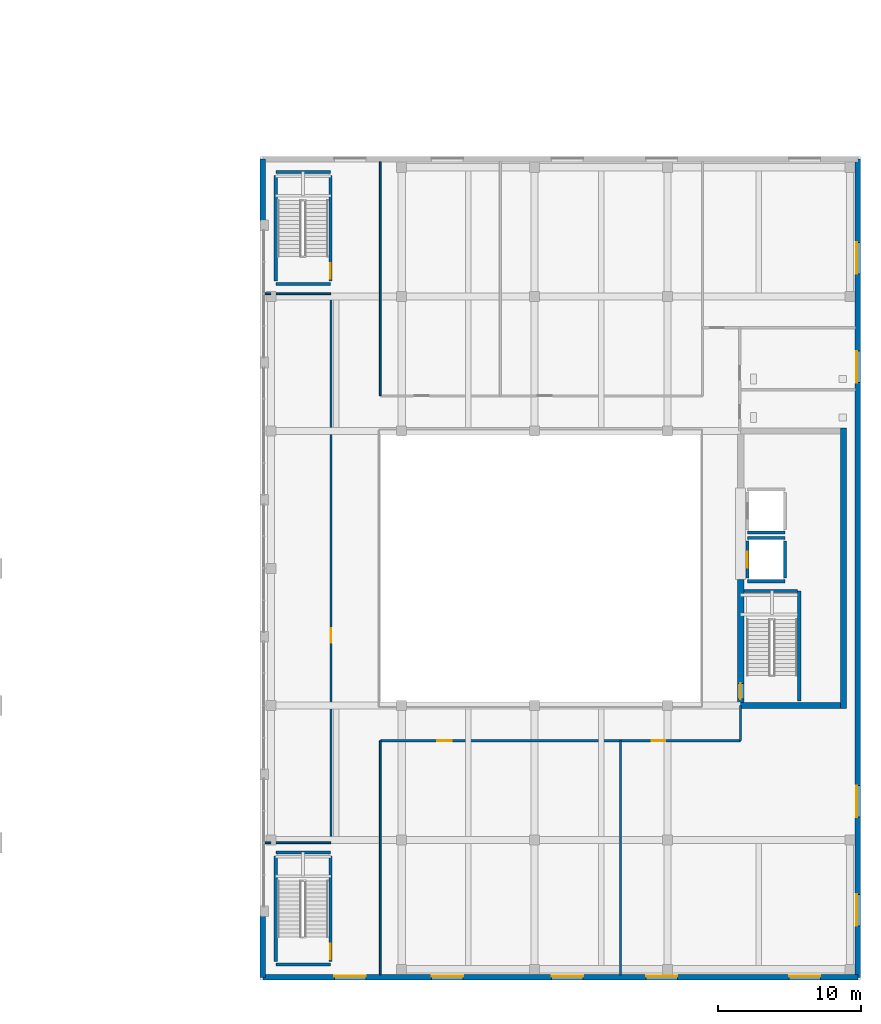
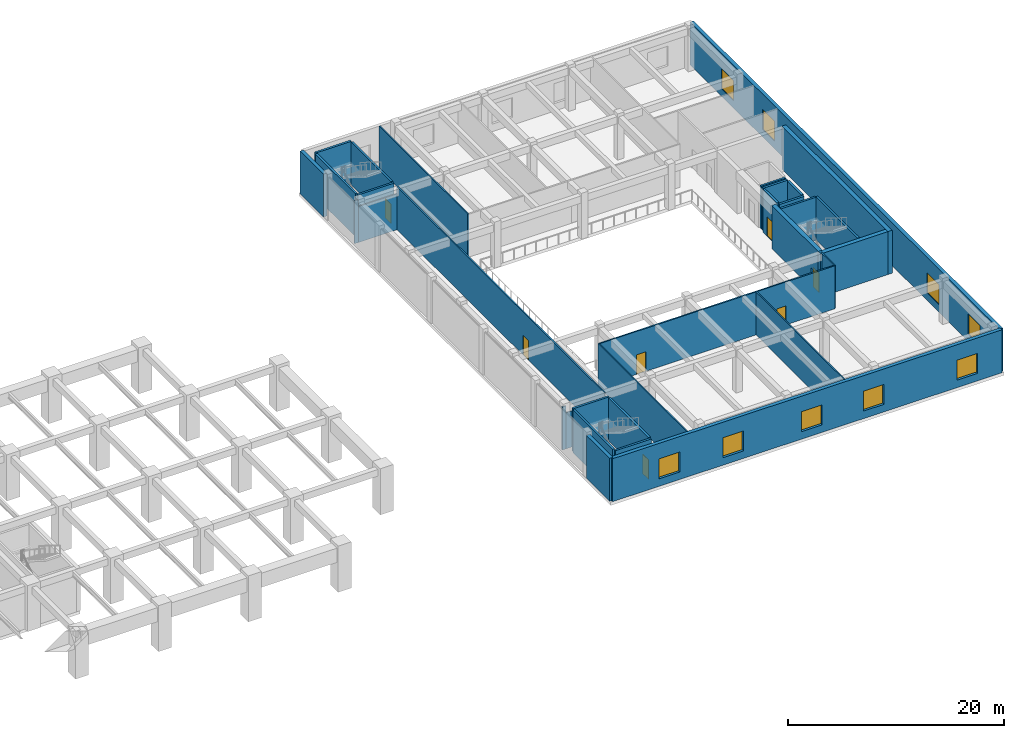
# One storey, part 7 of 22: 32 walls, 9 windows, 7 doors, 16 openings.
"""IFC4 building model written with IfcOpenShell, lengths in metres."""

from ifc_helpers import new_model, si_unit, direction, frame, frame_2d, origin, place, context, subcontext, project, spatial, rectangle, extrude, material, layer, layer_set, type_object, element, fill, save


model = new_model("IFC4")

# Units and contexts
model_context = context("Model", 3, precision=1e-05, world=origin(), true_north=direction((0.0, 1.0)))
body_context = subcontext(model_context, "Body", "Model", "MODEL_VIEW")
ifc_project = project(units=[si_unit("LENGTHUNIT", "METRE"), si_unit("AREAUNIT", "SQUARE_METRE"), si_unit("VOLUMEUNIT", "CUBIC_METRE"), si_unit("PLANEANGLEUNIT", "RADIAN"), si_unit("MASSUNIT", "GRAM", prefix="KILO")], contexts=[model_context])

# Site, building, storey
site_placement = place(None, origin())
site = spatial("IfcSite", under=ifc_project, at=site_placement, CompositionType="ELEMENT")
building_placement = place(site_placement, origin())
building = spatial("IfcBuilding", under=site, at=building_placement, Name="Norrvale University Quadrangle", CompositionType="ELEMENT")
storey_placement = place(building_placement, frame((0.0, 0.0, 5.199951171875)))
storey = spatial("IfcBuildingStorey", under=building, at=storey_placement, Name="L01", CompositionType="ELEMENT", Elevation=5.199951171875)

# Walls
ifc_material_1 = material(Name="Standard Academic Gypsum Partition")
ifc_layer_1 = layer(ifc_material_1, 0.125, Name="Standard Academic Gypsum Partition")
ifc_layer_set_1 = layer_set([ifc_layer_1], Name="Standard Academic Gypsum Partition")
wall_type_1 = type_object("IfcWallType", Name="Wall Gypsum Academic 125", PredefinedType="PARTITIONING", material=ifc_layer_set_1)
wall_1_placement = place(storey_placement, frame((85.550048828125, 9.60009765625, 0.0), z_axis=(0.0, 0.0, 1.0), x_axis=(1.0, 0.0, 0.0)))
element("IfcWall", 1, at=wall_1_placement, inside=storey, type_object=wall_type_1, Name="Interior Partition WL-L01-LWS", PredefinedType="PARTITIONING", context=body_context, shape_type="SweptSolid", body=[
    extrude(rectangle(XDim=0.39990234375, YDim=0.125, at=frame_2d((0.199951171875, 0.0))), origin(), (0.0, 0.0, 1.0), 4.85009765625),
])
wall_2_placement = place(storey_placement, frame((85.949951171875, 9.60009765625, 0.0), z_axis=(0.0, 0.0, 1.0), x_axis=(1.0, 0.0, 0.0)))
element("IfcWall", 2, at=wall_2_placement, inside=storey, type_object=wall_type_1, Name="Interior Partition WL-L01-LWS-B2", PredefinedType="PARTITIONING", context=body_context, shape_type="SweptSolid", body=[
    extrude(rectangle(XDim=4.199951171875, YDim=0.125, at=frame_2d((2.10009765625, 0.0))), origin(), (0.0, 0.0, 1.0), 4.050048828125),
])
wall_3_placement = place(storey_placement, frame((85.550048828125, 48.0, 0.0), z_axis=(0.0, 0.0, 1.0), x_axis=(1.0, 0.0, 0.0)))
element("IfcWall", 3, at=wall_3_placement, inside=storey, type_object=wall_type_1, Name="Interior Partition WL-L01-LWN", PredefinedType="PARTITIONING", context=body_context, shape_type="SweptSolid", body=[
    extrude(rectangle(XDim=0.39990234375, YDim=0.125, at=frame_2d((0.199951171875, 0.0))), origin(), (0.0, 0.0, 1.0), 4.85009765625),
])
wall_4_placement = place(storey_placement, frame((85.949951171875, 48.0, 0.0), z_axis=(0.0, 0.0, 1.0), x_axis=(1.0, 0.0, 0.0)))
element("IfcWall", 4, at=wall_4_placement, inside=storey, type_object=wall_type_1, Name="Interior Partition WL-L01-LWN-B2", PredefinedType="PARTITIONING", context=body_context, shape_type="SweptSolid", body=[
    extrude(rectangle(XDim=4.199951171875, YDim=0.125, at=frame_2d((2.10009765625, 0.0))), origin(), (0.0, 0.0, 1.0), 4.050048828125),
])
for number, where, z_axis, x_axis, name in (
    (5, (93.60009765625, 0.35009765625, 0.0), (0.0, 0.0, 1.0), (0.0, 1.0, 0.0), "Interior Partition WL-L01-LSS-W"),
    (6, (110.39990234375, 0.35009765625, 0.0), (0.0, 0.0, 1.0), (0.0, 1.0, 0.0), "Interior Partition WL-L01-LSS-M"),
    (7, (93.60009765625, 40.860107421875, 0.0), (0.0, 0.0, 1.0), (0.0, 1.0, 0.0), "Interior Partition WL-L01-LSN-W"),
):
    element("IfcWall", number, at=place(storey_placement, frame(where, z_axis=z_axis, x_axis=x_axis)), inside=storey, type_object=wall_type_1, Name=name, PredefinedType="PARTITIONING", context=body_context, shape_type="SweptSolid", body=[
        extrude(rectangle(XDim=16.389892578125, YDim=0.125, at=frame_2d((8.19482421875, 0.0))), origin(), (0.0, 0.0, 1.0), 4.85009765625),
    ])

# Wall, opening, door
ifc_material_2 = material(Name="Fire-Rated Gypsum Stud Partition")
ifc_layer_2 = layer(ifc_material_2, 0.14990234375, Name="Fire-Rated Gypsum Stud Partition")
ifc_layer_set_2 = layer_set([ifc_layer_2], Name="Fire-Rated Gypsum Stud Partition")
wall_type_2 = type_object("IfcWallType", Name="Wall Gypsum Corridor 150", PredefinedType="PARTITIONING", material=ifc_layer_set_2)
wall_5_placement = place(storey_placement, frame((90.14990234375, 9.60009765625, 0.0), z_axis=(0.0, 0.0, 1.0), x_axis=(0.0, 1.0, 0.0)))
wall_5 = element("IfcWall", 8, at=wall_5_placement, inside=storey, type_object=wall_type_2, Name="Interior Partition WL-L01-LWE", PredefinedType="PARTITIONING", context=body_context, shape_type="SweptSolid", body=[
    extrude(rectangle(XDim=38.39990234375, YDim=0.14990234375, at=frame_2d((19.199951171875, 0.0))), origin(), (0.0, 0.0, 1.0), 4.85009765625),
])
opening_1_placement = place(wall_5_placement, frame((14.0, 0.0, 0.0)))
opening_1 = element("IfcOpeningElement", 9, at=opening_1_placement, cuts=wall_5, Name="Opening D04", PredefinedType="OPENING", context=body_context, shape_type="SweptSolid", body=[
    extrude(rectangle(XDim=1.0, YDim=2.199951171875, at=frame_2d((0.5, 1.10009765625))), frame((0.0, 0.0869140625, 0.0), z_axis=(0.0, -1.0, 0.0), x_axis=(1.0, 0.0, 0.0)), (0.0, 0.0, 1.0), 0.173828125),
])
ifc_material_3 = material(Name="Solid-Core Oak Fire Door", Category="wood")
door_type_1 = type_object("IfcDoorType", Name="Door Corridor 1000x2200", OperationType="NOTDEFINED", PredefinedType="DOOR", material=ifc_material_3)
door_1_placement = place(opening_1_placement, origin())
door_1 = element("IfcDoor", 10, at=door_1_placement, inside=storey, type_object=door_type_1, Name="Door Corridor 1000x2200 DR-L01-LWCAR", OperationType="SINGLE_SWING_LEFT", OverallHeight=2.199951171875, OverallWidth=1.0, PredefinedType="DOOR", context=body_context, shape_type="SweptSolid", body=[
    extrude(rectangle(XDim=1.0, YDim=2.199951171875, at=frame_2d((0.5, 1.10009765625))), frame((0.0, 0.02490234375, 0.0), z_axis=(0.0, -1.0, 0.0), x_axis=(1.0, 0.0, 0.0)), (0.0, 0.0, 1.0), 0.050048828125),
])
fill(opening_1, door_1)

# Wall
wall_6_placement = place(storey_placement, frame((118.800048828125, 16.739990234375, 0.0), z_axis=(0.0, 0.0, 1.0), x_axis=(0.0, 1.0, 0.0)))
element("IfcWall", 11, at=wall_6_placement, inside=storey, type_object=wall_type_2, Name="Interior Partition WL-L01-LSS-E", PredefinedType="PARTITIONING", context=body_context, shape_type="SweptSolid", body=[
    extrude(rectangle(XDim=2.4599609375, YDim=0.14990234375, at=frame_2d((1.22998046875, 0.0))), origin(), (0.0, 0.0, 1.0), 4.85009765625),
])

# Wall, openings, doors
wall_7_placement = place(storey_placement, frame((93.60009765625, 16.739990234375, 0.0), z_axis=(0.0, 0.0, 1.0), x_axis=(1.0, 0.0, 0.0)))
wall_7 = element("IfcWall", 12, at=wall_7_placement, inside=storey, type_object=wall_type_2, Name="Interior Partition WL-L01-LSS-N", PredefinedType="PARTITIONING", context=body_context, shape_type="SweptSolid", body=[
    extrude(rectangle(XDim=25.199951171875, YDim=0.14990234375, at=frame_2d((12.60009765625, 0.0))), origin(), (0.0, 0.0, 1.0), 4.85009765625),
])
opening_2_placement = place(wall_7_placement, frame((4.0, 0.0, 0.0)))
opening_2 = element("IfcOpeningElement", 13, at=opening_2_placement, cuts=wall_7, Name="Opening D04", PredefinedType="OPENING", context=body_context, shape_type="SweptSolid", body=[
    extrude(rectangle(XDim=1.0, YDim=2.199951171875, at=frame_2d((0.5, 1.10009765625))), frame((0.0, 0.0869140625, 0.0), z_axis=(0.0, -1.0, 0.0), x_axis=(1.0, 0.0, 0.0)), (0.0, 0.0, 1.0), 0.173828125),
])
opening_3_placement = place(wall_7_placement, frame((19.0, 0.0, 0.0)))
opening_3 = element("IfcOpeningElement", 14, at=opening_3_placement, cuts=wall_7, Name="Opening D07", PredefinedType="OPENING", context=body_context, shape_type="SweptSolid", body=[
    extrude(rectangle(XDim=0.949951171875, YDim=2.14990234375, at=frame_2d((0.47509765625, 1.074951171875))), frame((0.0, 0.0869140625, 0.0), z_axis=(0.0, -1.0, 0.0), x_axis=(1.0, 0.0, 0.0)), (0.0, 0.0, 1.0), 0.173828125),
])
door_2_placement = place(opening_2_placement, origin())
door_2 = element("IfcDoor", 15, at=door_2_placement, inside=storey, type_object=door_type_1, Name="Door Corridor 1000x2200 DR-L01-LS1", OperationType="SINGLE_SWING_LEFT", OverallHeight=2.199951171875, OverallWidth=1.0, PredefinedType="DOOR", context=body_context, shape_type="SweptSolid", body=[
    extrude(rectangle(XDim=1.0, YDim=2.199951171875, at=frame_2d((0.5, 1.10009765625))), frame((0.0, 0.02490234375, 0.0), z_axis=(0.0, -1.0, 0.0), x_axis=(1.0, 0.0, 0.0)), (0.0, 0.0, 1.0), 0.050048828125),
])
fill(opening_2, door_2)
ifc_material_4 = material(Name="Solid-Core Maple Door", Category="wood")
door_type_2 = type_object("IfcDoorType", Name="Door Office 950x2150", OperationType="NOTDEFINED", PredefinedType="DOOR", material=ifc_material_4)
door_3_placement = place(opening_3_placement, origin())
door_3 = element("IfcDoor", 16, at=door_3_placement, inside=storey, type_object=door_type_2, Name="Door Office 950x2150 DR-L01-LS2", OperationType="SINGLE_SWING_RIGHT", OverallHeight=2.14990234375, OverallWidth=0.949951171875, PredefinedType="DOOR", context=body_context, shape_type="SweptSolid", body=[
    extrude(rectangle(XDim=0.949951171875, YDim=2.14990234375, at=frame_2d((0.47509765625, 1.074951171875))), frame((0.0, 0.02490234375, 0.0), z_axis=(0.0, -1.0, 0.0), x_axis=(1.0, 0.0, 0.0)), (0.0, 0.0, 1.0), 0.050048828125),
])
fill(opening_3, door_3)

# Wall, openings, windows
ifc_material_5 = material(Name="Buff Norman Clay Brick Masonry", Category="masonry")
ifc_layer_3 = layer(ifc_material_5, 0.3798828125, Name="Buff Norman Clay Brick Masonry")
ifc_layer_set_3 = layer_set([ifc_layer_3], Name="Buff Norman Clay Brick Masonry")
wall_type_3 = type_object("IfcWallType", Name="Wall Lib Brick 380", PredefinedType="SOLIDWALL", material=ifc_layer_set_3)
wall_8_placement = place(storey_placement, frame((85.389892578125, 0.18994140625, 0.0), z_axis=(0.0, 0.0, 1.0), x_axis=(1.0, 0.0, 0.0)))
wall_8 = element("IfcWall", 17, at=wall_8_placement, inside=storey, type_object=wall_type_3, Name="Central Library South Brick Facade L01", PredefinedType="SOLIDWALL", context=body_context, shape_type="SweptSolid", body=[
    extrude(rectangle(XDim=41.6201171875, YDim=0.3798828125, at=frame_2d((20.81005859375, 0.0))), origin(), (0.0, 0.0, 1.0), 4.85009765625),
])
opening_4_placement = place(wall_8_placement, frame((5.0, 0.0, 0.85009765625)))
opening_4 = element("IfcOpeningElement", 18, at=opening_4_placement, cuts=wall_8, Name="Opening W06", PredefinedType="OPENING", context=body_context, shape_type="SweptSolid", body=[
    extrude(rectangle(XDim=2.199951171875, YDim=2.25, at=frame_2d((1.10009765625, 1.125))), frame((0.0, 0.201904296875, 0.0), z_axis=(0.0, -1.0, 0.0), x_axis=(1.0, 0.0, 0.0)), (0.0, 0.0, 1.0), 0.40380859375),
])
opening_5_placement = place(wall_8_placement, frame((11.800048828125, 0.0, 0.85009765625)))
opening_5 = element("IfcOpeningElement", 19, at=opening_5_placement, cuts=wall_8, Name="Opening W06", PredefinedType="OPENING", context=body_context, shape_type="SweptSolid", body=[
    extrude(rectangle(XDim=2.199951171875, YDim=2.25, at=frame_2d((1.10009765625, 1.125))), frame((0.0, 0.201904296875, 0.0), z_axis=(0.0, -1.0, 0.0), x_axis=(1.0, 0.0, 0.0)), (0.0, 0.0, 1.0), 0.40380859375),
])
opening_6_placement = place(wall_8_placement, frame((20.199951171875, 0.0, 0.85009765625)))
opening_6 = element("IfcOpeningElement", 20, at=opening_6_placement, cuts=wall_8, Name="Opening W06", PredefinedType="OPENING", context=body_context, shape_type="SweptSolid", body=[
    extrude(rectangle(XDim=2.199951171875, YDim=2.25, at=frame_2d((1.10009765625, 1.125))), frame((0.0, 0.201904296875, 0.0), z_axis=(0.0, -1.0, 0.0), x_axis=(1.0, 0.0, 0.0)), (0.0, 0.0, 1.0), 0.40380859375),
])
opening_7_placement = place(wall_8_placement, frame((26.800048828125, 0.0, 0.85009765625)))
opening_7 = element("IfcOpeningElement", 21, at=opening_7_placement, cuts=wall_8, Name="Opening W06", PredefinedType="OPENING", context=body_context, shape_type="SweptSolid", body=[
    extrude(rectangle(XDim=2.199951171875, YDim=2.25, at=frame_2d((1.10009765625, 1.125))), frame((0.0, 0.201904296875, 0.0), z_axis=(0.0, -1.0, 0.0), x_axis=(1.0, 0.0, 0.0)), (0.0, 0.0, 1.0), 0.40380859375),
])
opening_8_placement = place(wall_8_placement, frame((36.800048828125, 0.0, 0.85009765625)))
opening_8 = element("IfcOpeningElement", 22, at=opening_8_placement, cuts=wall_8, Name="Opening W06", PredefinedType="OPENING", context=body_context, shape_type="SweptSolid", body=[
    extrude(rectangle(XDim=2.199951171875, YDim=2.25, at=frame_2d((1.10009765625, 1.125))), frame((0.0, 0.201904296875, 0.0), z_axis=(0.0, -1.0, 0.0), x_axis=(1.0, 0.0, 0.0)), (0.0, 0.0, 1.0), 0.40380859375),
])
ifc_material_6 = material(Name="Bird-Friendly Fritted Triple Glazing", Category="glass")
window_type = type_object("IfcWindowType", Name="Window Library 2200x2600", PartitioningType="DOUBLE_PANEL_VERTICAL", PredefinedType="WINDOW", material=ifc_material_6)
window_1_placement = place(opening_4_placement, origin())
window_1 = element("IfcWindow", 23, at=window_1_placement, inside=storey, type_object=window_type, Name="Window Library 2200x2600 WIN-L01-LS-01", OverallHeight=2.25, OverallWidth=2.199951171875, PartitioningType="DOUBLE_PANEL_VERTICAL", PredefinedType="WINDOW", context=body_context, shape_type="SweptSolid", body=[
    extrude(rectangle(XDim=2.199951171875, YDim=2.25, at=frame_2d((1.10009765625, 1.125))), frame((0.0, 0.110107421875, 0.0), z_axis=(0.0, -1.0, 0.0), x_axis=(1.0, 0.0, 0.0)), (0.0, 0.0, 1.0), 0.06005859375),
])
fill(opening_4, window_1)
window_2_placement = place(opening_5_placement, origin())
window_2 = element("IfcWindow", 24, at=window_2_placement, inside=storey, type_object=window_type, Name="Window Library 2200x2600 WIN-L01-LS-02", OverallHeight=2.25, OverallWidth=2.199951171875, PartitioningType="DOUBLE_PANEL_VERTICAL", PredefinedType="WINDOW", context=body_context, shape_type="SweptSolid", body=[
    extrude(rectangle(XDim=2.199951171875, YDim=2.25, at=frame_2d((1.10009765625, 1.125))), frame((0.0, 0.110107421875, 0.0), z_axis=(0.0, -1.0, 0.0), x_axis=(1.0, 0.0, 0.0)), (0.0, 0.0, 1.0), 0.06005859375),
])
fill(opening_5, window_2)
window_3_placement = place(opening_6_placement, origin())
window_3 = element("IfcWindow", 25, at=window_3_placement, inside=storey, type_object=window_type, Name="Window Library 2200x2600 WIN-L01-LS-03", OverallHeight=2.25, OverallWidth=2.199951171875, PartitioningType="DOUBLE_PANEL_VERTICAL", PredefinedType="WINDOW", context=body_context, shape_type="SweptSolid", body=[
    extrude(rectangle(XDim=2.199951171875, YDim=2.25, at=frame_2d((1.10009765625, 1.125))), frame((0.0, 0.110107421875, 0.0), z_axis=(0.0, -1.0, 0.0), x_axis=(1.0, 0.0, 0.0)), (0.0, 0.0, 1.0), 0.06005859375),
])
fill(opening_6, window_3)
window_4_placement = place(opening_7_placement, origin())
window_4 = element("IfcWindow", 26, at=window_4_placement, inside=storey, type_object=window_type, Name="Window Library 2200x2600 WIN-L01-LS-04", OverallHeight=2.25, OverallWidth=2.199951171875, PartitioningType="DOUBLE_PANEL_VERTICAL", PredefinedType="WINDOW", context=body_context, shape_type="SweptSolid", body=[
    extrude(rectangle(XDim=2.199951171875, YDim=2.25, at=frame_2d((1.10009765625, 1.125))), frame((0.0, 0.110107421875, 0.0), z_axis=(0.0, -1.0, 0.0), x_axis=(1.0, 0.0, 0.0)), (0.0, 0.0, 1.0), 0.06005859375),
])
fill(opening_7, window_4)
window_5_placement = place(opening_8_placement, origin())
window_5 = element("IfcWindow", 27, at=window_5_placement, inside=storey, type_object=window_type, Name="Window Library 2200x2600 WIN-L01-LS-05", OverallHeight=2.25, OverallWidth=2.199951171875, PartitioningType="DOUBLE_PANEL_VERTICAL", PredefinedType="WINDOW", context=body_context, shape_type="SweptSolid", body=[
    extrude(rectangle(XDim=2.199951171875, YDim=2.25, at=frame_2d((1.10009765625, 1.125))), frame((0.0, 0.110107421875, 0.0), z_axis=(0.0, -1.0, 0.0), x_axis=(1.0, 0.0, 0.0)), (0.0, 0.0, 1.0), 0.06005859375),
])
fill(opening_8, window_5)

wall_9_placement = place(storey_placement, frame((127.010009765625, 0.18994140625, 0.0), z_axis=(0.0, 0.0, 1.0), x_axis=(0.0, 1.0, 0.0)))
wall_9 = element("IfcWall", 28, at=wall_9_placement, inside=storey, type_object=wall_type_3, Name="Central Library East Brick Facade L01", PredefinedType="SOLIDWALL", context=body_context, shape_type="SweptSolid", body=[
    extrude(rectangle(XDim=57.219970703125, YDim=0.3798828125, at=frame_2d((28.60986328125, 0.0))), origin(), (0.0, 0.0, 1.0), 4.85009765625),
])
opening_9_placement = place(wall_9_placement, frame((3.60009765625, 0.0, 0.85009765625)))
opening_9 = element("IfcOpeningElement", 29, at=opening_9_placement, cuts=wall_9, Name="Opening W06", PredefinedType="OPENING", context=body_context, shape_type="SweptSolid", body=[
    extrude(rectangle(XDim=2.199951171875, YDim=2.25, at=frame_2d((1.10009765625, 1.125))), frame((0.0, 0.201904296875, 0.0), z_axis=(0.0, -1.0, 0.0), x_axis=(1.0, 0.0, 0.0)), (0.0, 0.0, 1.0), 0.40380859375),
])
opening_10_placement = place(wall_9_placement, frame((11.199951171875, 0.0, 0.85009765625)))
opening_10 = element("IfcOpeningElement", 30, at=opening_10_placement, cuts=wall_9, Name="Opening W06", PredefinedType="OPENING", context=body_context, shape_type="SweptSolid", body=[
    extrude(rectangle(XDim=2.199951171875, YDim=2.25, at=frame_2d((1.10009765625, 1.125))), frame((0.0, 0.201904296875, 0.0), z_axis=(0.0, -1.0, 0.0), x_axis=(1.0, 0.0, 0.0)), (0.0, 0.0, 1.0), 0.40380859375),
])
opening_11_placement = place(wall_9_placement, frame((41.60009765625, 0.0, 0.85009765625)))
opening_11 = element("IfcOpeningElement", 31, at=opening_11_placement, cuts=wall_9, Name="Opening W06", PredefinedType="OPENING", context=body_context, shape_type="SweptSolid", body=[
    extrude(rectangle(XDim=2.199951171875, YDim=2.25, at=frame_2d((1.10009765625, 1.125))), frame((0.0, 0.201904296875, 0.0), z_axis=(0.0, -1.0, 0.0), x_axis=(1.0, 0.0, 0.0)), (0.0, 0.0, 1.0), 0.40380859375),
])
opening_12_placement = place(wall_9_placement, frame((49.199951171875, 0.0, 0.85009765625)))
opening_12 = element("IfcOpeningElement", 32, at=opening_12_placement, cuts=wall_9, Name="Opening W06", PredefinedType="OPENING", context=body_context, shape_type="SweptSolid", body=[
    extrude(rectangle(XDim=2.199951171875, YDim=2.25, at=frame_2d((1.10009765625, 1.125))), frame((0.0, 0.201904296875, 0.0), z_axis=(0.0, -1.0, 0.0), x_axis=(1.0, 0.0, 0.0)), (0.0, 0.0, 1.0), 0.40380859375),
])
window_6_placement = place(opening_9_placement, origin())
window_6 = element("IfcWindow", 33, at=window_6_placement, inside=storey, type_object=window_type, Name="Window Library 2200x2600 WIN-L01-LE-01", OverallHeight=2.25, OverallWidth=2.199951171875, PartitioningType="DOUBLE_PANEL_VERTICAL", PredefinedType="WINDOW", context=body_context, shape_type="SweptSolid", body=[
    extrude(rectangle(XDim=2.199951171875, YDim=2.25, at=frame_2d((1.10009765625, 1.125))), frame((0.0, 0.110107421875, 0.0), z_axis=(0.0, -1.0, 0.0), x_axis=(1.0, 0.0, 0.0)), (0.0, 0.0, 1.0), 0.06005859375),
])
fill(opening_9, window_6)
window_7_placement = place(opening_10_placement, origin())
window_7 = element("IfcWindow", 34, at=window_7_placement, inside=storey, type_object=window_type, Name="Window Library 2200x2600 WIN-L01-LE-02", OverallHeight=2.25, OverallWidth=2.199951171875, PartitioningType="DOUBLE_PANEL_VERTICAL", PredefinedType="WINDOW", context=body_context, shape_type="SweptSolid", body=[
    extrude(rectangle(XDim=2.199951171875, YDim=2.25, at=frame_2d((1.10009765625, 1.125))), frame((0.0, 0.110107421875, 0.0), z_axis=(0.0, -1.0, 0.0), x_axis=(1.0, 0.0, 0.0)), (0.0, 0.0, 1.0), 0.06005859375),
])
fill(opening_10, window_7)
window_8_placement = place(opening_11_placement, origin())
window_8 = element("IfcWindow", 35, at=window_8_placement, inside=storey, type_object=window_type, Name="Window Library 2200x2600 WIN-L01-LE-03", OverallHeight=2.25, OverallWidth=2.199951171875, PartitioningType="DOUBLE_PANEL_VERTICAL", PredefinedType="WINDOW", context=body_context, shape_type="SweptSolid", body=[
    extrude(rectangle(XDim=2.199951171875, YDim=2.25, at=frame_2d((1.10009765625, 1.125))), frame((0.0, 0.110107421875, 0.0), z_axis=(0.0, -1.0, 0.0), x_axis=(1.0, 0.0, 0.0)), (0.0, 0.0, 1.0), 0.06005859375),
])
fill(opening_11, window_8)
window_9_placement = place(opening_12_placement, origin())
window_9 = element("IfcWindow", 36, at=window_9_placement, inside=storey, type_object=window_type, Name="Window Library 2200x2600 WIN-L01-LE-04", OverallHeight=2.25, OverallWidth=2.199951171875, PartitioningType="DOUBLE_PANEL_VERTICAL", PredefinedType="WINDOW", context=body_context, shape_type="SweptSolid", body=[
    extrude(rectangle(XDim=2.199951171875, YDim=2.25, at=frame_2d((1.10009765625, 1.125))), frame((0.0, 0.110107421875, 0.0), z_axis=(0.0, -1.0, 0.0), x_axis=(1.0, 0.0, 0.0)), (0.0, 0.0, 1.0), 0.06005859375),
])
fill(opening_12, window_9)

# Walls
wall_10_placement = place(storey_placement, frame((85.389892578125, 0.18994140625, 0.0), z_axis=(0.0, 0.0, 1.0), x_axis=(0.0, 1.0, 0.0)))
element("IfcWall", 37, at=wall_10_placement, inside=storey, type_object=wall_type_3, Name="Library West Corner Pier South L01", PredefinedType="SOLIDWALL", context=body_context, shape_type="SweptSolid", body=[
    extrude(rectangle(XDim=4.31005859375, YDim=0.3798828125, at=frame_2d((2.155029296875, 0.0))), origin(), (0.0, 0.0, 1.0), 4.85009765625),
])
wall_11_placement = place(storey_placement, frame((85.389892578125, 53.10009765625, 0.0), z_axis=(0.0, 0.0, 1.0), x_axis=(0.0, 1.0, 0.0)))
element("IfcWall", 38, at=wall_11_placement, inside=storey, type_object=wall_type_3, Name="Library West Corner Pier North L01", PredefinedType="SOLIDWALL", context=body_context, shape_type="SweptSolid", body=[
    extrude(rectangle(XDim=4.309814453125, YDim=0.3798828125, at=frame_2d((2.15478515625, 0.0))), origin(), (0.0, 0.0, 1.0), 4.85009765625),
])
ifc_material_7 = material(Name="Concrete C60/75", Category="concrete")
ifc_layer_4 = layer(ifc_material_7, 0.449951171875, Name="Concrete C60/75")
ifc_layer_set_4 = layer_set([ifc_layer_4], Name="Concrete C60/75")
wall_type_4 = type_object("IfcWallType", Name="Wall Lib Core 450", PredefinedType="SHEAR", material=ifc_layer_set_4)
wall_12_placement = place(storey_placement, frame((118.574951171875, 19.199951171875, 0.0), z_axis=(0.0, 0.0, 1.0), x_axis=(1.0, 0.0, 0.0)))
element("IfcWall", 39, at=wall_12_placement, inside=storey, type_object=wall_type_4, Name="Library Core Shear Wall L01-S", PredefinedType="SHEAR", context=body_context, shape_type="SweptSolid", body=[
    extrude(rectangle(XDim=7.199951171875, YDim=0.449951171875, at=frame_2d((3.60009765625, 0.0))), origin(), (0.0, 0.0, 1.0), 4.85009765625),
])
wall_13_placement = place(storey_placement, frame((126.0, 18.97509765625, 0.0), z_axis=(0.0, 0.0, 1.0), x_axis=(0.0, 1.0, 0.0)))
element("IfcWall", 40, at=wall_13_placement, inside=storey, type_object=wall_type_4, Name="Library Core Shear Wall L01-E", PredefinedType="SHEAR", context=body_context, shape_type="SweptSolid", body=[
    extrude(rectangle(XDim=19.64990234375, YDim=0.449951171875, at=frame_2d((9.824951171875, 0.0))), origin(), (0.0, 0.0, 1.0), 4.85009765625),
])

# Wall, opening, door
wall_14_placement = place(storey_placement, frame((118.800048828125, 19.425048828125, 0.0), z_axis=(0.0, 0.0, 1.0), x_axis=(0.0, 1.0, 0.0)))
wall_14 = element("IfcWall", 41, at=wall_14_placement, inside=storey, type_object=wall_type_4, Name="Library Core Shear Wall L01-W1", PredefinedType="SHEAR", context=body_context, shape_type="SweptSolid", body=[
    extrude(rectangle(XDim=8.574951171875, YDim=0.449951171875, at=frame_2d((4.28759765625, 0.0))), origin(), (0.0, 0.0, 1.0), 4.85009765625),
])
opening_13_placement = place(wall_14_placement, frame((0.219970703125, 0.0, 0.0)))
opening_13 = element("IfcOpeningElement", 42, at=opening_13_placement, cuts=wall_14, Name="Opening D02", PredefinedType="OPENING", context=body_context, shape_type="SweptSolid", body=[
    extrude(rectangle(XDim=1.10009765625, YDim=2.199951171875, at=frame_2d((0.550048828125, 1.10009765625))), frame((0.0, 0.237060546875, 0.0), z_axis=(0.0, -1.0, 0.0), x_axis=(1.0, 0.0, 0.0)), (0.0, 0.0, 1.0), 0.473876953125),
])
ifc_material_8 = material(Name="Hollow Steel 350W Fire Door", Category="steel")
door_type_3 = type_object("IfcDoorType", Name="Door Stair Exit 1100x2200", OperationType="NOTDEFINED", PredefinedType="DOOR", material=ifc_material_8)
door_4_placement = place(opening_13_placement, frame((1.10009765625, 0.0, 0.0), z_axis=(0.0, 0.0, 1.0), x_axis=(-1.0, 0.0, 0.0)))
door_4 = element("IfcDoor", 43, at=door_4_placement, inside=storey, type_object=door_type_3, Name="Door Stair Exit 1100x2200 DR-L01-STL1", OperationType="SINGLE_SWING_LEFT", OverallHeight=2.199951171875, OverallWidth=1.10009765625, PredefinedType="DOOR", context=body_context, shape_type="SweptSolid", body=[
    extrude(rectangle(XDim=1.10009765625, YDim=2.199951171875, at=frame_2d((0.550048828125, 1.10009765625))), frame((0.0, 0.02490234375, 0.0), z_axis=(0.0, -1.0, 0.0), x_axis=(1.0, 0.0, 0.0)), (0.0, 0.0, 1.0), 0.050048828125),
])
fill(opening_13, door_4)

# Walls
ifc_material_9 = material(Name="Concrete Blockwork 20 MPa Fire Shaft", Category="masonry")
ifc_layer_5 = layer(ifc_material_9, 0.219970703125, Name="Concrete Blockwork 20 MPa Fire Shaft")
ifc_layer_set_5 = layer_set([ifc_layer_5], Name="Concrete Blockwork 20 MPa Fire Shaft")
wall_type_5 = type_object("IfcWallType", Name="Wall Shaft 220", PredefinedType="SOLIDWALL", material=ifc_layer_set_5)
wall_15_placement = place(storey_placement, frame((122.909912109375, 19.5, 0.0), z_axis=(0.0, 0.0, 1.0), x_axis=(0.0, 1.0, 0.0)))
element("IfcWall", 44, at=wall_15_placement, inside=storey, type_object=wall_type_5, Name="Library Stair ST-L1 East Wall L01", PredefinedType="SOLIDWALL", context=body_context, shape_type="SweptSolid", body=[
    extrude(rectangle(XDim=7.7099609375, YDim=0.219970703125, at=frame_2d((3.85498046875, 0.0))), origin(), (0.0, 0.0, 1.0), 4.85009765625),
])
wall_16_placement = place(storey_placement, frame((119.050048828125, 27.2099609375, 0.0), z_axis=(0.0, 0.0, 1.0), x_axis=(1.0, 0.0, 0.0)))
element("IfcWall", 45, at=wall_16_placement, inside=storey, type_object=wall_type_5, Name="Library Stair ST-L1 North Wall L01", PredefinedType="SOLIDWALL", context=body_context, shape_type="SweptSolid", body=[
    extrude(rectangle(XDim=3.75, YDim=0.219970703125, at=frame_2d((1.875, 0.0))), origin(), (0.0, 0.0, 1.0), 4.85009765625),
])
wall_17_placement = place(storey_placement, frame((86.2900390625, 1.31005859375, 0.0), z_axis=(0.0, 0.0, 1.0), x_axis=(0.0, 1.0, 0.0)))
element("IfcWall", 46, at=wall_17_placement, inside=storey, type_object=wall_type_5, Name="Library Stair ST-L2 West Wall L01", PredefinedType="SOLIDWALL", context=body_context, shape_type="SweptSolid", body=[
    extrude(rectangle(XDim=7.3798828125, YDim=0.219970703125, at=frame_2d((3.68994140625, 0.0))), origin(), (0.0, 0.0, 1.0), 4.85009765625),
])
for number, where, z_axis, x_axis, name in (
    (47, (86.2900390625, 1.090087890625, 0.0), (0.0, 0.0, 1.0), (1.0, 0.0, 0.0), "Library Stair ST-L2 South Wall L01"),
    (48, (86.2900390625, 8.909912109375, 0.0), (0.0, 0.0, 1.0), (1.0, 0.0, 0.0), "Library Stair ST-L2 North Wall L01"),
):
    element("IfcWall", number, at=place(storey_placement, frame(where, z_axis=z_axis, x_axis=x_axis)), inside=storey, type_object=wall_type_5, Name=name, PredefinedType="SOLIDWALL", context=body_context, shape_type="SweptSolid", body=[
        extrude(rectangle(XDim=3.820068359375, YDim=0.219970703125, at=frame_2d((1.91015625, 0.0))), origin(), (0.0, 0.0, 1.0), 4.85009765625),
    ])

# Wall, opening, door
wall_18_placement = place(storey_placement, frame((90.110107421875, 1.31005859375, 0.0), z_axis=(0.0, 0.0, 1.0), x_axis=(0.0, 1.0, 0.0)))
wall_18 = element("IfcWall", 49, at=wall_18_placement, inside=storey, type_object=wall_type_5, Name="Library Stair ST-L2 East Wall L01", PredefinedType="SOLIDWALL", context=body_context, shape_type="SweptSolid", body=[
    extrude(rectangle(XDim=7.3798828125, YDim=0.219970703125, at=frame_2d((3.68994140625, 0.0))), origin(), (0.0, 0.0, 1.0), 4.85009765625),
])
opening_14_placement = place(wall_18_placement, frame((0.139892578125, 0.0, 0.0)))
opening_14 = element("IfcOpeningElement", 50, at=opening_14_placement, cuts=wall_18, Name="Opening D02", PredefinedType="OPENING", context=body_context, shape_type="SweptSolid", body=[
    extrude(rectangle(XDim=1.10009765625, YDim=2.199951171875, at=frame_2d((0.550048828125, 1.10009765625))), frame((0.0, 0.1220703125, 0.0), z_axis=(0.0, -1.0, 0.0), x_axis=(1.0, 0.0, 0.0)), (0.0, 0.0, 1.0), 0.243896484375),
])
door_5_placement = place(opening_14_placement, origin())
door_5 = element("IfcDoor", 51, at=door_5_placement, inside=storey, type_object=door_type_3, Name="Door Stair Exit 1100x2200 DR-L01-ST-L2", OperationType="SINGLE_SWING_RIGHT", OverallHeight=2.199951171875, OverallWidth=1.10009765625, PredefinedType="DOOR", context=body_context, shape_type="SweptSolid", body=[
    extrude(rectangle(XDim=1.10009765625, YDim=2.199951171875, at=frame_2d((0.550048828125, 1.10009765625))), frame((0.0, 0.02490234375, 0.0), z_axis=(0.0, -1.0, 0.0), x_axis=(1.0, 0.0, 0.0)), (0.0, 0.0, 1.0), 0.050048828125),
])
fill(opening_14, door_5)

# Walls
wall_19_placement = place(storey_placement, frame((86.2900390625, 48.909912109375, 0.0), z_axis=(0.0, 0.0, 1.0), x_axis=(0.0, 1.0, 0.0)))
element("IfcWall", 52, at=wall_19_placement, inside=storey, type_object=wall_type_5, Name="Library Stair ST-L3 West Wall L01", PredefinedType="SOLIDWALL", context=body_context, shape_type="SweptSolid", body=[
    extrude(rectangle(XDim=7.380126953125, YDim=0.219970703125, at=frame_2d((3.68994140625, 0.0))), origin(), (0.0, 0.0, 1.0), 4.85009765625),
])
for number, where, z_axis, x_axis, name in (
    (53, (86.2900390625, 48.68994140625, 0.0), (0.0, 0.0, 1.0), (1.0, 0.0, 0.0), "Library Stair ST-L3 South Wall L01"),
    (54, (86.2900390625, 56.510009765625, 0.0), (0.0, 0.0, 1.0), (1.0, 0.0, 0.0), "Library Stair ST-L3 North Wall L01"),
):
    element("IfcWall", number, at=place(storey_placement, frame(where, z_axis=z_axis, x_axis=x_axis)), inside=storey, type_object=wall_type_5, Name=name, PredefinedType="SOLIDWALL", context=body_context, shape_type="SweptSolid", body=[
        extrude(rectangle(XDim=3.820068359375, YDim=0.219970703125, at=frame_2d((1.91015625, 0.0))), origin(), (0.0, 0.0, 1.0), 4.85009765625),
    ])

# Wall, opening, door
wall_20_placement = place(storey_placement, frame((90.110107421875, 48.909912109375, 0.0), z_axis=(0.0, 0.0, 1.0), x_axis=(0.0, 1.0, 0.0)))
wall_20 = element("IfcWall", 55, at=wall_20_placement, inside=storey, type_object=wall_type_5, Name="Library Stair ST-L3 East Wall L01", PredefinedType="SOLIDWALL", context=body_context, shape_type="SweptSolid", body=[
    extrude(rectangle(XDim=7.380126953125, YDim=0.219970703125, at=frame_2d((3.68994140625, 0.0))), origin(), (0.0, 0.0, 1.0), 4.85009765625),
])
opening_15_placement = place(wall_20_placement, frame((0.139892578125, 0.0, 0.0)))
opening_15 = element("IfcOpeningElement", 56, at=opening_15_placement, cuts=wall_20, Name="Opening D02", PredefinedType="OPENING", context=body_context, shape_type="SweptSolid", body=[
    extrude(rectangle(XDim=1.10009765625, YDim=2.199951171875, at=frame_2d((0.550048828125, 1.10009765625))), frame((0.0, 0.1220703125, 0.0), z_axis=(0.0, -1.0, 0.0), x_axis=(1.0, 0.0, 0.0)), (0.0, 0.0, 1.0), 0.243896484375),
])
door_6_placement = place(opening_15_placement, origin())
door_6 = element("IfcDoor", 57, at=door_6_placement, inside=storey, type_object=door_type_3, Name="Door Stair Exit 1100x2200 DR-L01-ST-L3", OperationType="SINGLE_SWING_RIGHT", OverallHeight=2.199951171875, OverallWidth=1.10009765625, PredefinedType="DOOR", context=body_context, shape_type="SweptSolid", body=[
    extrude(rectangle(XDim=1.10009765625, YDim=2.199951171875, at=frame_2d((0.550048828125, 1.10009765625))), frame((0.0, 0.02490234375, 0.0), z_axis=(0.0, -1.0, 0.0), x_axis=(1.0, 0.0, 0.0)), (0.0, 0.0, 1.0), 0.050048828125),
])
fill(opening_15, door_6)

wall_21_placement = place(storey_placement, frame((119.2900390625, 28.110107421875, 0.0), z_axis=(0.0, 0.0, 1.0), x_axis=(0.0, 1.0, 0.0)))
wall_21 = element("IfcWall", 58, at=wall_21_placement, inside=storey, type_object=wall_type_5, Name="Hoistway LL-01 West Wall L01", PredefinedType="SOLIDWALL", context=body_context, shape_type="SweptSolid", body=[
    extrude(rectangle(XDim=2.579833984375, YDim=0.219970703125, at=frame_2d((1.2900390625, 0.0))), origin(), (0.0, 0.0, 1.0), 4.85009765625),
])
opening_16_placement = place(wall_21_placement, frame((0.739990234375, 0.0, 0.0)))
opening_16 = element("IfcOpeningElement", 59, at=opening_16_placement, cuts=wall_21, Name="Opening LD1", PredefinedType="OPENING", context=body_context, shape_type="SweptSolid", body=[
    extrude(rectangle(XDim=1.10009765625, YDim=2.199951171875, at=frame_2d((0.550048828125, 1.10009765625))), frame((0.0, 0.1220703125, 0.0), z_axis=(0.0, -1.0, 0.0), x_axis=(1.0, 0.0, 0.0)), (0.0, 0.0, 1.0), 0.243896484375),
])
ifc_material_10 = material(Name="Stainless Steel 316L Lift Landing Door", Category="steel")
door_type_4 = type_object("IfcDoorType", Name="Door Lift Landing 1100x2200", OperationType="DOUBLE_DOOR_SLIDING", PredefinedType="DOOR", material=ifc_material_10)
door_7_placement = place(opening_16_placement, origin())
door_7 = element("IfcDoor", 60, at=door_7_placement, inside=storey, type_object=door_type_4, Name="Elevator Landing Door DR-L01-LL-01", OperationType="DOUBLE_DOOR_SLIDING", OverallHeight=2.199951171875, OverallWidth=1.10009765625, PredefinedType="DOOR", context=body_context, shape_type="SweptSolid", body=[
    extrude(rectangle(XDim=1.10009765625, YDim=2.199951171875, at=frame_2d((0.550048828125, 1.10009765625))), frame((0.0, 0.02490234375, 0.0), z_axis=(0.0, -1.0, 0.0), x_axis=(1.0, 0.0, 0.0)), (0.0, 0.0, 1.0), 0.050048828125),
])
fill(opening_16, door_7)

# Walls
wall_22_placement = place(storey_placement, frame((121.909912109375, 28.110107421875, 0.0), z_axis=(0.0, 0.0, 1.0), x_axis=(0.0, 1.0, 0.0)))
element("IfcWall", 61, at=wall_22_placement, inside=storey, type_object=wall_type_5, Name="Hoistway LL-01 East Wall L01", PredefinedType="SOLIDWALL", context=body_context, shape_type="SweptSolid", body=[
    extrude(rectangle(XDim=2.579833984375, YDim=0.219970703125, at=frame_2d((1.2900390625, 0.0))), origin(), (0.0, 0.0, 1.0), 4.85009765625),
])
for number, where, z_axis, x_axis, name in (
    (62, (119.2900390625, 27.889892578125, 0.0), (0.0, 0.0, 1.0), (1.0, 0.0, 0.0), "Hoistway LL-01 South Wall L01"),
    (63, (119.2900390625, 30.909912109375, 0.0), (0.0, 0.0, 1.0), (1.0, 0.0, 0.0), "Hoistway LL-01 North Wall L01"),
    (64, (119.2900390625, 31.2900390625, 0.0), (0.0, 0.0, 1.0), (1.0, 0.0, 0.0), "Hoistway LL-02 South Wall L01"),
):
    element("IfcWall", number, at=place(storey_placement, frame(where, z_axis=z_axis, x_axis=x_axis)), inside=storey, type_object=wall_type_5, Name=name, PredefinedType="SOLIDWALL", context=body_context, shape_type="SweptSolid", body=[
        extrude(rectangle(XDim=2.619873046875, YDim=0.219970703125, at=frame_2d((1.31005859375, 0.0))), origin(), (0.0, 0.0, 1.0), 4.85009765625),
    ])

save(model, "model.ifc")
